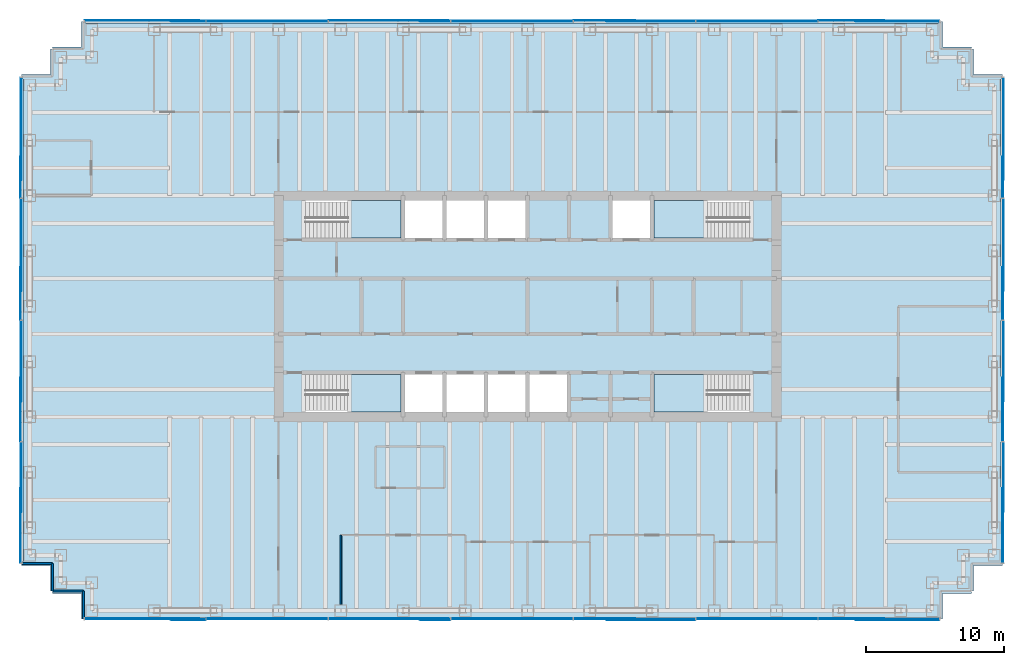
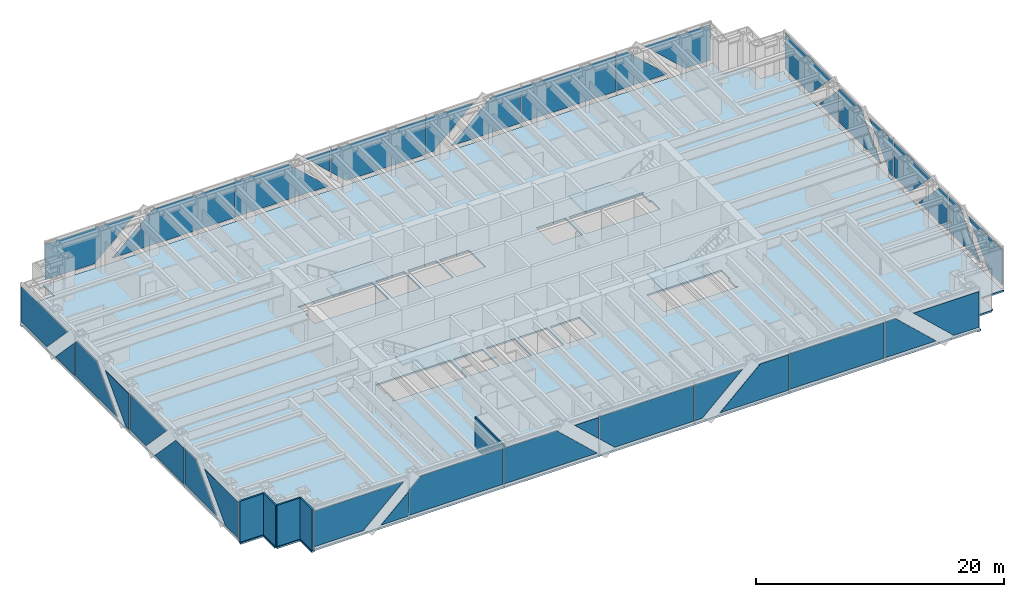
# One storey, part 10 of 15: 38 plates, 5 slabs, 5 walls, 8 elements without a shape of their own.
"""IFC4 building model written with IfcOpenShell, lengths in metres."""

from ifc_helpers import new_model, si_unit, direction, frame, frame_2d, origin, origin_2d, place, context, subcontext, project, spatial, polyline, rectangle, outline, extrude, material, layer, layer_set, type_object, element, aggregate, save


model = new_model("IFC4")

# Units and contexts
model_context = context("Model", 3, precision=1e-05, world=origin(), true_north=direction((0.0, 1.0)))
body_context = subcontext(model_context, "Body", "Model", "MODEL_VIEW")
ifc_project = project(units=[si_unit("LENGTHUNIT", "METRE"), si_unit("AREAUNIT", "SQUARE_METRE"), si_unit("VOLUMEUNIT", "CUBIC_METRE"), si_unit("PLANEANGLEUNIT", "RADIAN"), si_unit("MASSUNIT", "GRAM", prefix="KILO")], contexts=[model_context])

# Site, building, storey
site_placement = place(None, origin())
site = spatial("IfcSite", under=ifc_project, at=site_placement, CompositionType="ELEMENT")
building_placement = place(site_placement, origin())
building = spatial("IfcBuilding", under=site, at=building_placement, Name="Rheinbord Bourse Tower", CompositionType="ELEMENT")
storey_placement = place(building_placement, frame((0.0, 0.0, 279.5)))
storey = spatial("IfcBuildingStorey", under=building, at=storey_placement, Name="L63", CompositionType="ELEMENT", Elevation=279.5)

# Slab
ifc_material_1 = material(Name="Concrete C30/37", Category="concrete")
ifc_layer_1 = layer(ifc_material_1, 0.159912109375)
ifc_layer_set_1 = layer_set([ifc_layer_1], Name="COMPOSITE FLOOR SLAB 160")
slab_type_1 = type_object("IfcSlabType", Name="COMPOSITE FLOOR SLAB 160", PredefinedType="FLOOR", material=ifc_layer_set_1)
slab_1_placement = place(storey_placement, frame((0.0, 0.0, -0.159912109375)))
element("IfcSlab", 1, at=slab_1_placement, inside=storey, type_object=slab_type_1, Name="Floor slab L63", PredefinedType="FLOOR", context=body_context, shape_type="SweptSolid", body=[
    extrude(outline(polyline([(1.64990234375, 3.39990234375), (1.5, 3.39990234375), (1.5, 5.25), (-0.60009765625, 5.25), (-0.60009765625, 5.550048828125), (-0.5, 5.550048828125), (-0.5, 40.449951171875), (-0.60009765625, 40.449951171875), (-0.60009765625, 40.75), (1.5, 40.75), (1.5, 42.60009765625), (1.64990234375, 42.60009765625), (1.64990234375, 42.75), (3.75, 42.75), (3.75, 44.60009765625), (4.050048828125, 44.60009765625), (4.050048828125, 44.5), (65.699951171875, 44.5), (65.699951171875, 44.60009765625), (66.0, 44.60009765625), (66.0, 42.75), (68.10009765625, 42.75), (68.10009765625, 42.60009765625), (68.25, 42.60009765625), (68.25, 40.75), (70.35009765625, 40.75), (70.35009765625, 40.449951171875), (70.25, 40.449951171875), (70.25, 5.550048828125), (70.35009765625, 5.550048828125), (70.35009765625, 5.25), (68.25, 5.25), (68.25, 3.39990234375), (68.10009765625, 3.39990234375), (68.10009765625, 3.25), (66.0, 3.25), (66.0, 1.39990234375), (65.699951171875, 1.39990234375), (65.699951171875, 1.5), (4.050048828125, 1.5), (4.050048828125, 1.39990234375), (3.75, 1.39990234375), (3.75, 3.25), (1.64990234375, 3.25), (1.64990234375, 3.39990234375)]), holes=[polyline([(19.949951171875, 19.050048828125), (26.85009765625, 19.050048828125), (26.85009765625, 16.35009765625), (19.949951171875, 16.35009765625), (19.949951171875, 16.449951171875), (20.10009765625, 16.449951171875), (20.10009765625, 17.64990234375), (19.949951171875, 17.64990234375), (19.949951171875, 19.050048828125)]), polyline([(19.949951171875, 31.64990234375), (26.85009765625, 31.64990234375), (26.85009765625, 28.949951171875), (19.949951171875, 28.949951171875), (19.949951171875, 30.35009765625), (20.10009765625, 30.35009765625), (20.10009765625, 31.550048828125), (19.949951171875, 31.550048828125), (19.949951171875, 31.64990234375)]), polyline([(52.050048828125, 16.35009765625), (45.14990234375, 16.35009765625), (45.14990234375, 19.050048828125), (52.050048828125, 19.050048828125), (52.050048828125, 17.64990234375), (51.89990234375, 17.64990234375), (51.89990234375, 16.449951171875), (52.050048828125, 16.449951171875), (52.050048828125, 16.35009765625)]), polyline([(52.050048828125, 28.949951171875), (45.14990234375, 28.949951171875), (45.14990234375, 31.64990234375), (52.050048828125, 31.64990234375), (52.050048828125, 31.550048828125), (51.89990234375, 31.550048828125), (51.89990234375, 30.35009765625), (52.050048828125, 30.35009765625), (52.050048828125, 28.949951171875)]), polyline([(27.14990234375, 16.35009765625), (27.14990234375, 19.050048828125), (29.85009765625, 19.050048828125), (29.85009765625, 16.35009765625), (27.14990234375, 16.35009765625)]), polyline([(27.14990234375, 28.949951171875), (27.14990234375, 31.64990234375), (29.85009765625, 31.64990234375), (29.85009765625, 28.949951171875), (27.14990234375, 28.949951171875)]), polyline([(30.14990234375, 16.35009765625), (30.14990234375, 19.050048828125), (32.85009765625, 19.050048828125), (32.85009765625, 16.35009765625), (30.14990234375, 16.35009765625)]), polyline([(30.14990234375, 28.949951171875), (30.14990234375, 31.64990234375), (32.85009765625, 31.64990234375), (32.85009765625, 28.949951171875), (30.14990234375, 28.949951171875)]), polyline([(33.14990234375, 16.35009765625), (33.14990234375, 19.050048828125), (35.85009765625, 19.050048828125), (35.85009765625, 16.35009765625), (33.14990234375, 16.35009765625)]), polyline([(33.14990234375, 28.949951171875), (33.14990234375, 31.64990234375), (35.85009765625, 31.64990234375), (35.85009765625, 28.949951171875), (33.14990234375, 28.949951171875)]), polyline([(36.14990234375, 16.35009765625), (36.14990234375, 19.050048828125), (38.85009765625, 19.050048828125), (38.85009765625, 16.35009765625), (36.14990234375, 16.35009765625)]), polyline([(42.14990234375, 28.949951171875), (42.14990234375, 31.64990234375), (44.85009765625, 31.64990234375), (44.85009765625, 28.949951171875), (42.14990234375, 28.949951171875)])]), origin(), (0.0, 0.0, 1.0), 0.159912109375),
])

# Curtain wall, plates
ifc_material_2 = material(Name="Dark glass and black aluminium", Category="aluminium")
curtain_wall_type = type_object("IfcCurtainWallType", Name="CW3 DARK GLASS CURTAIN WALL", PredefinedType="USERDEFINED", material=ifc_material_2)
curtain_wall_1_placement = place(storey_placement, origin())
curtain_wall_1 = element("IfcCurtainWall", 2, at=curtain_wall_1_placement, inside=storey, type_object=curtain_wall_type, Name="Curtain wall CW3 S L63", ObjectType="UNITISED CURTAIN WALL", PredefinedType="USERDEFINED")
ifc_material_3 = material(Name="Dark tinted triple insulating glass", Category="glass")
ifc_layer_2 = layer(ifc_material_3, 0.055908203125)
ifc_layer_set_2 = layer_set([ifc_layer_2], Name="CW3 DARK GLASS PANEL")
plate_type = type_object("IfcPlateType", Name="CW3 DARK GLASS PANEL", PredefinedType="CURTAIN_PANEL", material=ifc_layer_set_2)
plate_1_placement = place(storey_placement, frame((52.574951171875, 1.39990234375, 0.35009765625), z_axis=(0.0, 0.0, 1.0), x_axis=(1.0, 0.0, 0.0)))
plate_1 = element("IfcPlate", 3, at=plate_1_placement, type_object=plate_type, Name="CW3 panel 6.1", PredefinedType="CURTAIN_PANEL", context=body_context, shape_type="SweptSolid", body=[
    extrude(rectangle(XDim=8.784912109375, YDim=0.055908203125, at=origin_2d()), origin(), (0.0, 0.0, 1.0), 3.5),
])
plate_2_placement = place(storey_placement, frame((3.965087890625, 1.3720703125, 0.35009765625), z_axis=(0.0, 1.0, 0.0), x_axis=(0.0, 0.0, 1.0)))
plate_2 = element("IfcPlate", 4, at=plate_2_placement, type_object=plate_type, Name="CW3 glass facet 1", PredefinedType="CURTAIN_PANEL", context=body_context, shape_type="SweptSolid", body=[
    extrude(outline(polyline([(0.0, 0.0), (3.5, 0.0), (3.5, 8.347900390625), (0.0, 4.597900390625), (0.0, 0.0)])), origin(), (0.0, 0.0, 1.0), 0.055908203125),
])
plate_3_placement = place(storey_placement, frame((12.717041015625, 1.31103515625, 0.35009765625), z_axis=(0.0, 1.0, 0.0), x_axis=(-1.0, 0.0, 0.0)))
plate_3 = element("IfcPlate", 5, at=plate_3_placement, type_object=plate_type, Name="CW3 glass facet 2", PredefinedType="CURTAIN_PANEL", context=body_context, shape_type="SweptSolid", body=[
    extrude(outline(polyline([(0.0, 0.0), (2.530029296875, 0.0), (0.0, 2.36181640625), (0.0, 0.0)])), origin(), (0.0, 0.0, 1.0), 0.055908203125),
])
plate_4_placement = place(storey_placement, frame((21.56689453125, 1.3720703125, 3.85009765625), z_axis=(0.0, 1.0, 0.0), x_axis=(0.0, 0.0, -1.0)))
plate_4 = element("IfcPlate", 6, at=plate_4_placement, type_object=plate_type, Name="CW3 glass facet 1", PredefinedType="CURTAIN_PANEL", context=body_context, shape_type="SweptSolid", body=[
    extrude(outline(polyline([(0.0, 0.0), (3.5, 0.0), (3.5, 8.783935546875), (1.0771484375, 8.783935546875), (0.0, 7.6298828125), (0.0, 0.0)])), origin(), (0.0, 0.0, 1.0), 0.055908203125),
])
plate_5_placement = place(storey_placement, frame((21.633056640625, 1.3720703125, 0.35009765625), z_axis=(0.0, 1.0, 0.0), x_axis=(0.0, 0.0, 1.0)))
plate_5 = element("IfcPlate", 7, at=plate_5_placement, type_object=plate_type, Name="CW3 glass facet 1", PredefinedType="CURTAIN_PANEL", context=body_context, shape_type="SweptSolid", body=[
    extrude(outline(polyline([(0.0, 0.0), (3.5, 0.0), (3.5, 4.929931640625), (0.0, 8.679931640625), (0.0, 0.0)])), origin(), (0.0, 0.0, 1.0), 0.055908203125),
])
plate_6_placement = place(storey_placement, frame((30.4169921875, 1.31103515625, 3.85009765625), z_axis=(0.0, 1.0, 0.0), x_axis=(0.0, 0.0, -1.0)))
plate_6 = element("IfcPlate", 8, at=plate_6_placement, type_object=plate_type, Name="CW3 glass facet 2", PredefinedType="CURTAIN_PANEL", context=body_context, shape_type="SweptSolid", body=[
    extrude(outline(polyline([(0.0, 0.0), (2.08203125, 0.0), (0.0, 2.22998046875), (0.0, 0.0)])), origin(), (0.0, 0.0, 1.0), 0.055908203125),
])
plate_7_placement = place(storey_placement, frame((30.48193359375, 1.3720703125, 3.85009765625), z_axis=(0.0, 1.0, 0.0), x_axis=(1.0, 0.0, 0.0)))
plate_7 = element("IfcPlate", 9, at=plate_7_placement, type_object=plate_type, Name="CW3 glass facet 1", PredefinedType="CURTAIN_PANEL", context=body_context, shape_type="SweptSolid", body=[
    extrude(outline(polyline([(0.0, 0.0), (8.7861328125, 0.0), (8.7861328125, 3.5), (1.455078125, 3.5), (0.0, 2.14306640625), (0.0, 0.0)])), origin(), (0.0, 0.0, 1.0), 0.055908203125),
])
plate_8_placement = place(storey_placement, frame((39.3330078125, 1.3720703125, 0.35009765625), z_axis=(0.0, 1.0, 0.0), x_axis=(0.0, 0.0, 1.0)))
plate_8 = element("IfcPlate", 10, at=plate_8_placement, type_object=plate_type, Name="CW3 glass facet 1", PredefinedType="CURTAIN_PANEL", context=body_context, shape_type="SweptSolid", body=[
    extrude(outline(polyline([(0.0, 0.0), (3.5, 0.0), (3.5, 4.47998046875), (0.0, 0.72998046875), (0.0, 0.0)])), origin(), (0.0, 0.0, 1.0), 0.055908203125),
])
plate_9_placement = place(storey_placement, frame((48.116943359375, 1.31103515625, 3.85009765625), z_axis=(0.0, 1.0, 0.0), x_axis=(0.0, 0.0, -1.0)))
plate_9 = element("IfcPlate", 11, at=plate_9_placement, type_object=plate_type, Name="CW3 glass facet 2", PredefinedType="CURTAIN_PANEL", context=body_context, shape_type="SweptSolid", body=[
    extrude(outline(polyline([(0.0, 0.0), (3.5, 0.0), (3.5, 6.429931640625), (0.0, 2.679931640625), (0.0, 0.0)])), origin(), (0.0, 0.0, 1.0), 0.055908203125),
])
plate_10_placement = place(storey_placement, frame((57.031982421875, 1.3720703125, 0.35009765625), z_axis=(0.0, 1.0, 0.0), x_axis=(0.0, 0.0, 1.0)))
plate_10 = element("IfcPlate", 12, at=plate_10_placement, type_object=plate_type, Name="CW3 glass facet 1", PredefinedType="CURTAIN_PANEL", context=body_context, shape_type="SweptSolid", body=[
    extrude(outline(polyline([(0.0, 0.0), (3.5, 0.0), (3.5, 1.031005859375), (0.0, 4.781005859375), (0.0, 0.0)])), origin(), (0.0, 0.0, 1.0), 0.055908203125),
])
plate_11_placement = place(storey_placement, frame((65.784912109375, 1.31103515625, 3.85009765625), z_axis=(0.0, 1.0, 0.0), x_axis=(0.0, 0.0, -1.0)))
plate_11 = element("IfcPlate", 13, at=plate_11_placement, type_object=plate_type, Name="CW3 glass facet 2", PredefinedType="CURTAIN_PANEL", context=body_context, shape_type="SweptSolid", body=[
    extrude(outline(polyline([(0.0, 0.0), (3.5, 0.0), (3.5, 2.347900390625), (0.0, 6.097900390625), (0.0, 0.0)])), origin(), (0.0, 0.0, 1.0), 0.055908203125),
])
aggregate(curtain_wall_1, [plate_1, plate_2, plate_3, plate_4, plate_5, plate_6, plate_7, plate_8, plate_9, plate_10, plate_11])

curtain_wall_2_placement = place(storey_placement, origin())
curtain_wall_2 = element("IfcCurtainWall", 14, at=curtain_wall_2_placement, inside=storey, type_object=curtain_wall_type, Name="Curtain wall CW3 E L63", ObjectType="UNITISED CURTAIN WALL", PredefinedType="USERDEFINED")
plate_12_placement = place(storey_placement, frame((70.3779296875, 5.465087890625, 0.35009765625), z_axis=(-1.0, 0.0, 0.0), x_axis=(0.0, 0.0, 1.0)))
plate_12 = element("IfcPlate", 15, at=plate_12_placement, type_object=plate_type, Name="CW3 glass facet 1", PredefinedType="CURTAIN_PANEL", context=body_context, shape_type="SweptSolid", body=[
    extrude(outline(polyline([(0.0, 0.0), (3.5, 0.0), (3.5, 5.43701171875), (0.0, 2.10302734375), (0.0, 0.0)])), origin(), (0.0, 0.0, 1.0), 0.055908203125),
])
plate_13_placement = place(storey_placement, frame((70.43896484375, 14.16796875, 3.85009765625), z_axis=(-1.0, 0.0, 0.0), x_axis=(0.0, 0.0, -1.0)))
plate_13 = element("IfcPlate", 16, at=plate_13_placement, type_object=plate_type, Name="CW3 glass facet 2", PredefinedType="CURTAIN_PANEL", context=body_context, shape_type="SweptSolid", body=[
    extrude(outline(polyline([(0.0, 0.0), (3.5, 0.0), (3.5, 5.070068359375), (0.0, 1.736083984375), (0.0, 0.0)])), origin(), (0.0, 0.0, 1.0), 0.055908203125),
])
plate_14_placement = place(storey_placement, frame((70.3779296875, 14.23193359375, 0.35009765625), z_axis=(-1.0, 0.0, 0.0), x_axis=(0.0, 0.0, 1.0)))
plate_14 = element("IfcPlate", 17, at=plate_14_placement, type_object=plate_type, Name="CW3 glass facet 1", PredefinedType="CURTAIN_PANEL", context=body_context, shape_type="SweptSolid", body=[
    extrude(outline(polyline([(0.0, 0.0), (3.5, 0.0), (3.5, 1.336181640625), (0.0, 4.670166015625), (0.0, 0.0)])), origin(), (0.0, 0.0, 1.0), 0.055908203125),
])
plate_15_placement = place(storey_placement, frame((70.43896484375, 22.968017578125, 3.85009765625), z_axis=(-1.0, 0.0, 0.0), x_axis=(0.0, 0.0, -1.0)))
plate_15 = element("IfcPlate", 18, at=plate_15_placement, type_object=plate_type, Name="CW3 glass facet 2", PredefinedType="CURTAIN_PANEL", context=body_context, shape_type="SweptSolid", body=[
    extrude(outline(polyline([(0.0, 0.0), (3.5, 0.0), (3.5, 2.5361328125), (0.0, 5.8701171875), (0.0, 0.0)])), origin(), (0.0, 0.0, 1.0), 0.055908203125),
])
plate_16_placement = place(storey_placement, frame((70.3779296875, 23.031982421875, 0.35009765625), z_axis=(-1.0, 0.0, 0.0), x_axis=(0.0, 0.0, 1.0)))
plate_16 = element("IfcPlate", 19, at=plate_16_placement, type_object=plate_type, Name="CW3 glass facet 1", PredefinedType="CURTAIN_PANEL", context=body_context, shape_type="SweptSolid", body=[
    extrude(outline(polyline([(0.0, 0.0), (3.5, 0.0), (3.5, 3.8701171875), (0.0, 0.5361328125), (0.0, 0.0)])), origin(), (0.0, 0.0, 1.0), 0.055908203125),
])
plate_17_placement = place(storey_placement, frame((70.43896484375, 31.76708984375, 0.35009765625), z_axis=(-1.0, 0.0, 0.0), x_axis=(0.0, -1.0, 0.0)))
plate_17 = element("IfcPlate", 20, at=plate_17_placement, type_object=plate_type, Name="CW3 glass facet 2", PredefinedType="CURTAIN_PANEL", context=body_context, shape_type="SweptSolid", body=[
    extrude(outline(polyline([(0.0, 0.0), (6.669189453125, 0.0), (3.335205078125, 3.5), (0.198974609375, 3.5), (0.0, 3.291015625), (0.0, 0.0)])), origin(), (0.0, 0.0, 1.0), 0.055908203125),
])
plate_18_placement = place(storey_placement, frame((70.3779296875, 31.8330078125, 0.35009765625), z_axis=(-1.0, 0.0, 0.0), x_axis=(0.0, 0.0, 1.0)))
plate_18 = element("IfcPlate", 21, at=plate_18_placement, type_object=plate_type, Name="CW3 glass facet 1", PredefinedType="CURTAIN_PANEL", context=body_context, shape_type="SweptSolid", body=[
    extrude(outline(polyline([(0.0, 0.0), (3.222900390625, 0.0), (0.0, 3.069091796875), (0.0, 0.0)])), origin(), (0.0, 0.0, 1.0), 0.055908203125),
])
plate_19_placement = place(storey_placement, frame((70.43896484375, 40.534912109375, 3.85009765625), z_axis=(-1.0, 0.0, 0.0), x_axis=(0.0, 0.0, -1.0)))
plate_19 = element("IfcPlate", 22, at=plate_19_placement, type_object=plate_type, Name="CW3 glass facet 2", PredefinedType="CURTAIN_PANEL", context=body_context, shape_type="SweptSolid", body=[
    extrude(outline(polyline([(0.0, 0.0), (3.5, 0.0), (3.5, 4.10302734375), (0.0, 7.43701171875), (0.0, 0.0)])), origin(), (0.0, 0.0, 1.0), 0.055908203125),
])
aggregate(curtain_wall_2, [plate_12, plate_13, plate_14, plate_15, plate_16, plate_17, plate_18, plate_19])

curtain_wall_3_placement = place(storey_placement, origin())
curtain_wall_3 = element("IfcCurtainWall", 23, at=curtain_wall_3_placement, inside=storey, type_object=curtain_wall_type, Name="Curtain wall CW3 N L63", ObjectType="UNITISED CURTAIN WALL", PredefinedType="USERDEFINED")
plate_20_placement = place(storey_placement, frame((52.574951171875, 44.60009765625, 0.35009765625), z_axis=(0.0, 0.0, 1.0), x_axis=(-1.0, 0.0, 0.0)))
plate_20 = element("IfcPlate", 24, at=plate_20_placement, type_object=plate_type, Name="CW3 panel 2.1", PredefinedType="CURTAIN_PANEL", context=body_context, shape_type="SweptSolid", body=[
    extrude(rectangle(XDim=8.784912109375, YDim=0.055908203125, at=origin_2d()), origin(), (0.0, 0.0, 1.0), 3.5),
])
plate_21_placement = place(storey_placement, frame((65.784912109375, 44.6279296875, 0.35009765625), z_axis=(0.0, -1.0, 0.0), x_axis=(0.0, 0.0, 1.0)))
plate_21 = element("IfcPlate", 25, at=plate_21_placement, type_object=plate_type, Name="CW3 glass facet 1", PredefinedType="CURTAIN_PANEL", context=body_context, shape_type="SweptSolid", body=[
    extrude(outline(polyline([(0.0, 0.0), (3.5, 0.0), (3.5, 6.097900390625), (0.0, 2.347900390625), (0.0, 0.0)])), origin(), (0.0, 0.0, 1.0), 0.055908203125),
])
plate_22_placement = place(storey_placement, frame((57.031982421875, 44.68896484375, 3.85009765625), z_axis=(0.0, -1.0, 0.0), x_axis=(0.0, 0.0, -1.0)))
plate_22 = element("IfcPlate", 26, at=plate_22_placement, type_object=plate_type, Name="CW3 glass facet 2", PredefinedType="CURTAIN_PANEL", context=body_context, shape_type="SweptSolid", body=[
    extrude(outline(polyline([(0.0, 0.0), (3.5, 0.0), (3.5, 4.781005859375), (0.0, 1.031005859375), (0.0, 0.0)])), origin(), (0.0, 0.0, 1.0), 0.055908203125),
])
plate_23_placement = place(storey_placement, frame((48.116943359375, 44.6279296875, 0.35009765625), z_axis=(0.0, -1.0, 0.0), x_axis=(0.0, 0.0, 1.0)))
plate_23 = element("IfcPlate", 27, at=plate_23_placement, type_object=plate_type, Name="CW3 glass facet 1", PredefinedType="CURTAIN_PANEL", context=body_context, shape_type="SweptSolid", body=[
    extrude(outline(polyline([(0.0, 0.0), (3.5, 0.0), (3.5, 2.679931640625), (0.0, 6.429931640625), (0.0, 0.0)])), origin(), (0.0, 0.0, 1.0), 0.055908203125),
])
plate_24_placement = place(storey_placement, frame((39.33203125, 44.68896484375, 3.85009765625), z_axis=(0.0, -1.0, 0.0), x_axis=(0.0, 0.0, -1.0)))
plate_24 = element("IfcPlate", 28, at=plate_24_placement, type_object=plate_type, Name="CW3 glass facet 2", PredefinedType="CURTAIN_PANEL", context=body_context, shape_type="SweptSolid", body=[
    extrude(outline(polyline([(0.0, 0.0), (3.5, 0.0), (3.5, 0.73095703125), (0.0, 4.48095703125), (0.0, 0.0)])), origin(), (0.0, 0.0, 1.0), 0.055908203125),
])
plate_25_placement = place(storey_placement, frame((39.26708984375, 44.6279296875, 0.35009765625), z_axis=(0.0, -1.0, 0.0), x_axis=(0.0, 0.0, 1.0)))
plate_25 = element("IfcPlate", 29, at=plate_25_placement, type_object=plate_type, Name="CW3 glass facet 1", PredefinedType="CURTAIN_PANEL", context=body_context, shape_type="SweptSolid", body=[
    extrude(outline(polyline([(0.0, 0.0), (3.5, 0.0), (3.5, 8.7841796875), (1.35693359375, 8.7841796875), (0.0, 7.330078125), (0.0, 0.0)])), origin(), (0.0, 0.0, 1.0), 0.055908203125),
])
plate_26_placement = place(storey_placement, frame((30.4169921875, 44.6279296875, 3.85009765625), z_axis=(0.0, -1.0, 0.0), x_axis=(-1.0, 0.0, 0.0)))
plate_26 = element("IfcPlate", 30, at=plate_26_placement, type_object=plate_type, Name="CW3 glass facet 1", PredefinedType="CURTAIN_PANEL", context=body_context, shape_type="SweptSolid", body=[
    extrude(outline(polyline([(0.0, 0.0), (2.22998046875, 0.0), (0.0, 2.08203125), (0.0, 0.0)])), origin(), (0.0, 0.0, 1.0), 0.055908203125),
])
plate_27_placement = place(storey_placement, frame((21.632080078125, 44.68896484375, 3.85009765625), z_axis=(0.0, -1.0, 0.0), x_axis=(0.0, 0.0, -1.0)))
plate_27 = element("IfcPlate", 31, at=plate_27_placement, type_object=plate_type, Name="CW3 glass facet 2", PredefinedType="CURTAIN_PANEL", context=body_context, shape_type="SweptSolid", body=[
    extrude(outline(polyline([(0.0, 0.0), (3.5, 0.0), (3.5, 8.680908203125), (0.0, 4.930908203125), (0.0, 0.0)])), origin(), (0.0, 0.0, 1.0), 0.055908203125),
])
plate_28_placement = place(storey_placement, frame((12.781982421875, 44.6279296875, 0.35009765625), z_axis=(0.0, -1.0, 0.0), x_axis=(1.0, 0.0, 0.0)))
plate_28 = element("IfcPlate", 32, at=plate_28_placement, type_object=plate_type, Name="CW3 glass facet 1", PredefinedType="CURTAIN_PANEL", context=body_context, shape_type="SweptSolid", body=[
    extrude(outline(polyline([(0.0, 0.0), (8.784912109375, 0.0), (8.784912109375, 3.5), (1.155029296875, 3.5), (0.0, 2.4228515625), (0.0, 0.0)])), origin(), (0.0, 0.0, 1.0), 0.055908203125),
])
plate_29_placement = place(storey_placement, frame((12.718017578125, 44.6279296875, 0.35009765625), z_axis=(0.0, -1.0, 0.0), x_axis=(0.0, 0.0, 1.0)))
plate_29 = element("IfcPlate", 33, at=plate_29_placement, type_object=plate_type, Name="CW3 glass facet 1", PredefinedType="CURTAIN_PANEL", context=body_context, shape_type="SweptSolid", body=[
    extrude(outline(polyline([(0.0, 0.0), (2.36181640625, 0.0), (0.0, 2.531005859375), (0.0, 0.0)])), origin(), (0.0, 0.0, 1.0), 0.055908203125),
])
plate_30_placement = place(storey_placement, frame((3.965087890625, 44.68896484375, 3.85009765625), z_axis=(0.0, -1.0, 0.0), x_axis=(0.0, 0.0, -1.0)))
plate_30 = element("IfcPlate", 34, at=plate_30_placement, type_object=plate_type, Name="CW3 glass facet 2", PredefinedType="CURTAIN_PANEL", context=body_context, shape_type="SweptSolid", body=[
    extrude(outline(polyline([(0.0, 0.0), (3.5, 0.0), (3.5, 4.597900390625), (0.0, 8.347900390625), (0.0, 0.0)])), origin(), (0.0, 0.0, 1.0), 0.055908203125),
])
aggregate(curtain_wall_3, [plate_20, plate_21, plate_22, plate_23, plate_24, plate_25, plate_26, plate_27, plate_28, plate_29, plate_30])

curtain_wall_4_placement = place(storey_placement, origin())
curtain_wall_4 = element("IfcCurtainWall", 35, at=curtain_wall_4_placement, inside=storey, type_object=curtain_wall_type, Name="Curtain wall CW3 W L63", ObjectType="UNITISED CURTAIN WALL", PredefinedType="USERDEFINED")
plate_31_placement = place(storey_placement, frame((-0.6279296875, 40.534912109375, 0.35009765625), z_axis=(1.0, 0.0, 0.0), x_axis=(0.0, 0.0, 1.0)))
plate_31 = element("IfcPlate", 36, at=plate_31_placement, type_object=plate_type, Name="CW3 glass facet 1", PredefinedType="CURTAIN_PANEL", context=body_context, shape_type="SweptSolid", body=[
    extrude(outline(polyline([(0.0, 0.0), (3.5, 0.0), (3.5, 7.43701171875), (0.0, 4.10302734375), (0.0, 0.0)])), origin(), (0.0, 0.0, 1.0), 0.055908203125),
])
plate_32_placement = place(storey_placement, frame((-0.68896484375, 31.8330078125, 0.35009765625), z_axis=(1.0, 0.0, 0.0), x_axis=(0.0, 1.0, 0.0)))
plate_32 = element("IfcPlate", 37, at=plate_32_placement, type_object=plate_type, Name="CW3 glass facet 2", PredefinedType="CURTAIN_PANEL", context=body_context, shape_type="SweptSolid", body=[
    extrude(outline(polyline([(0.0, 0.0), (3.069091796875, 0.0), (0.0, 3.222900390625), (0.0, 0.0)])), origin(), (0.0, 0.0, 1.0), 0.055908203125),
])
plate_33_placement = place(storey_placement, frame((-0.6279296875, 31.76708984375, 0.35009765625), z_axis=(1.0, 0.0, 0.0), x_axis=(0.0, 0.0, 1.0)))
plate_33 = element("IfcPlate", 38, at=plate_33_placement, type_object=plate_type, Name="CW3 glass facet 1", PredefinedType="CURTAIN_PANEL", context=body_context, shape_type="SweptSolid", body=[
    extrude(outline(polyline([(0.0, 0.0), (3.291015625, 0.0), (3.5, 0.198974609375), (3.5, 3.335205078125), (0.0, 6.669189453125), (0.0, 0.0)])), origin(), (0.0, 0.0, 1.0), 0.055908203125),
])
plate_34_placement = place(storey_placement, frame((-0.68896484375, 23.031982421875, 3.85009765625), z_axis=(1.0, 0.0, 0.0), x_axis=(0.0, 0.0, -1.0)))
plate_34 = element("IfcPlate", 39, at=plate_34_placement, type_object=plate_type, Name="CW3 glass facet 2", PredefinedType="CURTAIN_PANEL", context=body_context, shape_type="SweptSolid", body=[
    extrude(outline(polyline([(0.0, 0.0), (3.5, 0.0), (3.5, 0.5361328125), (0.0, 3.8701171875), (0.0, 0.0)])), origin(), (0.0, 0.0, 1.0), 0.055908203125),
])
plate_35_placement = place(storey_placement, frame((-0.6279296875, 22.968017578125, 0.35009765625), z_axis=(1.0, 0.0, 0.0), x_axis=(0.0, 0.0, 1.0)))
plate_35 = element("IfcPlate", 40, at=plate_35_placement, type_object=plate_type, Name="CW3 glass facet 1", PredefinedType="CURTAIN_PANEL", context=body_context, shape_type="SweptSolid", body=[
    extrude(outline(polyline([(0.0, 0.0), (3.5, 0.0), (3.5, 5.8701171875), (0.0, 2.5361328125), (0.0, 0.0)])), origin(), (0.0, 0.0, 1.0), 0.055908203125),
])
plate_36_placement = place(storey_placement, frame((-0.68896484375, 14.23291015625, 3.85009765625), z_axis=(1.0, 0.0, 0.0), x_axis=(0.0, 0.0, -1.0)))
plate_36 = element("IfcPlate", 41, at=plate_36_placement, type_object=plate_type, Name="CW3 glass facet 2", PredefinedType="CURTAIN_PANEL", context=body_context, shape_type="SweptSolid", body=[
    extrude(outline(polyline([(0.0, 0.0), (3.5, 0.0), (3.5, 4.669189453125), (0.0, 1.335205078125), (0.0, 0.0)])), origin(), (0.0, 0.0, 1.0), 0.055908203125),
])
plate_37_placement = place(storey_placement, frame((-0.6279296875, 14.1669921875, 0.35009765625), z_axis=(1.0, 0.0, 0.0), x_axis=(0.0, 0.0, 1.0)))
plate_37 = element("IfcPlate", 42, at=plate_37_placement, type_object=plate_type, Name="CW3 glass facet 1", PredefinedType="CURTAIN_PANEL", context=body_context, shape_type="SweptSolid", body=[
    extrude(outline(polyline([(0.0, 0.0), (3.5, 0.0), (3.5, 1.735107421875), (0.0, 5.069091796875), (0.0, 0.0)])), origin(), (0.0, 0.0, 1.0), 0.055908203125),
])
plate_38_placement = place(storey_placement, frame((-0.68896484375, 5.465087890625, 3.85009765625), z_axis=(1.0, 0.0, 0.0), x_axis=(0.0, 0.0, -1.0)))
plate_38 = element("IfcPlate", 43, at=plate_38_placement, type_object=plate_type, Name="CW3 glass facet 2", PredefinedType="CURTAIN_PANEL", context=body_context, shape_type="SweptSolid", body=[
    extrude(outline(polyline([(0.0, 0.0), (3.5, 0.0), (3.5, 2.10302734375), (0.0, 5.43701171875), (0.0, 0.0)])), origin(), (0.0, 0.0, 1.0), 0.055908203125),
])
aggregate(curtain_wall_4, [plate_31, plate_32, plate_33, plate_34, plate_35, plate_36, plate_37, plate_38])

# Stair, slab
ifc_material_4 = material(Name="Concrete C30/37", Category="concrete")
stair_type = type_object("IfcStairType", Name="CORE STAIR HALF TURN 4200", PredefinedType="HALF_TURN_STAIR", material=ifc_material_4)
stair_1_placement = place(storey_placement, origin())
stair_1 = element("IfcStair", 44, at=stair_1_placement, inside=storey, type_object=stair_type, Name="Stair ST1 L63, type CS6", PredefinedType="HALF_TURN_STAIR")
ifc_material_5 = material(Name="Concrete C30/37", Category="concrete")
ifc_layer_3 = layer(ifc_material_5, 0.199951171875)
ifc_layer_set_3 = layer_set([ifc_layer_3], Name="STAIR LANDING 200")
slab_type_2 = type_object("IfcSlabType", Name="STAIR LANDING 200", PredefinedType="LANDING", material=ifc_layer_set_3)
slab_2_placement = place(storey_placement, frame((0.0, 0.0, 1.89990234375)))
slab_2 = element("IfcSlab", 45, at=slab_2_placement, type_object=slab_type_2, Name="Half landing ST1 L63", PredefinedType="LANDING", context=body_context, shape_type="SweptSolid", body=[
    extrude(outline(polyline([(23.030029296875, 16.35009765625), (26.85009765625, 16.35009765625), (26.85009765625, 19.050048828125), (21.748046875, 19.050048828125), (21.748046875, 17.85009765625), (23.030029296875, 17.85009765625), (23.030029296875, 16.35009765625)])), origin(), (0.0, 0.0, 1.0), 0.2001953125),
])
aggregate(stair_1, [slab_2])

stair_2_placement = place(storey_placement, origin())
stair_2 = element("IfcStair", 46, at=stair_2_placement, inside=storey, type_object=stair_type, Name="Stair ST2 L63, type CS6", PredefinedType="HALF_TURN_STAIR")
slab_3_placement = place(storey_placement, frame((0.0, 0.0, 1.89990234375)))
slab_3 = element("IfcSlab", 47, at=slab_3_placement, type_object=slab_type_2, Name="Half landing ST2 L63", PredefinedType="LANDING", context=body_context, shape_type="SweptSolid", body=[
    extrude(outline(polyline([(21.748046875, 28.949951171875), (26.85009765625, 28.949951171875), (26.85009765625, 31.64990234375), (23.030029296875, 31.64990234375), (23.030029296875, 30.14990234375), (21.748046875, 30.14990234375), (21.748046875, 28.949951171875)])), origin(), (0.0, 0.0, 1.0), 0.2001953125),
])
aggregate(stair_2, [slab_3])

stair_3_placement = place(storey_placement, origin())
stair_3 = element("IfcStair", 48, at=stair_3_placement, inside=storey, type_object=stair_type, Name="Stair ST3 L63, type CS6", PredefinedType="HALF_TURN_STAIR")
slab_4_placement = place(storey_placement, frame((0.0, 0.0, 1.89990234375)))
slab_4 = element("IfcSlab", 49, at=slab_4_placement, type_object=slab_type_2, Name="Half landing ST3 L63", PredefinedType="LANDING", context=body_context, shape_type="SweptSolid", body=[
    extrude(outline(polyline([(45.14990234375, 16.35009765625), (48.969970703125, 16.35009765625), (48.969970703125, 17.85009765625), (50.251953125, 17.85009765625), (50.251953125, 19.050048828125), (45.14990234375, 19.050048828125), (45.14990234375, 16.35009765625)])), origin(), (0.0, 0.0, 1.0), 0.2001953125),
])
aggregate(stair_3, [slab_4])

stair_4_placement = place(storey_placement, origin())
stair_4 = element("IfcStair", 50, at=stair_4_placement, inside=storey, type_object=stair_type, Name="Stair ST4 L63, type CS6", PredefinedType="HALF_TURN_STAIR")
slab_5_placement = place(storey_placement, frame((0.0, 0.0, 1.89990234375)))
slab_5 = element("IfcSlab", 51, at=slab_5_placement, type_object=slab_type_2, Name="Half landing ST4 L63", PredefinedType="LANDING", context=body_context, shape_type="SweptSolid", body=[
    extrude(outline(polyline([(45.14990234375, 28.949951171875), (50.251953125, 28.949951171875), (50.251953125, 30.14990234375), (48.969970703125, 30.14990234375), (48.969970703125, 31.64990234375), (45.14990234375, 31.64990234375), (45.14990234375, 28.949951171875)])), origin(), (0.0, 0.0, 1.0), 0.2001953125),
])
aggregate(stair_4, [slab_5])

# Walls
ifc_material_6 = material(Name="Black metal rainscreen panel", Category="aluminium")
ifc_layer_4 = layer(ifc_material_6, 0.14990234375)
ifc_layer_set_4 = layer_set([ifc_layer_4], Name="CORNER PIER CLADDING 150")
wall_type_1 = type_object("IfcWallType", Name="CORNER PIER CLADDING 150", PredefinedType="ELEMENTEDWALL", material=ifc_layer_set_4)
wall_1_placement = place(storey_placement, frame((-0.60009765625, 5.39990234375, 0.0), z_axis=(0.0, 0.0, 1.0), x_axis=(1.0, 0.0, 0.0)))
element("IfcWall", 52, at=wall_1_placement, inside=storey, type_object=wall_type_1, Name="Corner pier cladding L63 17", PredefinedType="ELEMENTEDWALL", context=body_context, shape_type="SweptSolid", body=[
    extrude(rectangle(XDim=2.25, YDim=0.14990234375, at=frame_2d((1.125, 0.0))), origin(), (0.0, 0.0, 1.0), 4.0400390625),
])
wall_2_placement = place(storey_placement, frame((1.64990234375, 5.39990234375, 0.0), z_axis=(0.0, 0.0, 1.0), x_axis=(0.0, -1.0, 0.0)))
element("IfcWall", 53, at=wall_2_placement, inside=storey, type_object=wall_type_1, Name="Corner pier cladding L63 18", PredefinedType="ELEMENTEDWALL", context=body_context, shape_type="SweptSolid", body=[
    extrude(rectangle(XDim=2.0, YDim=0.14990234375, at=frame_2d((1.0, 0.0))), origin(), (0.0, 0.0, 1.0), 4.0400390625),
])
wall_3_placement = place(storey_placement, frame((1.64990234375, 3.39990234375, 0.0), z_axis=(0.0, 0.0, 1.0), x_axis=(1.0, 0.0, 0.0)))
element("IfcWall", 54, at=wall_3_placement, inside=storey, type_object=wall_type_1, Name="Corner pier cladding L63 19", PredefinedType="ELEMENTEDWALL", context=body_context, shape_type="SweptSolid", body=[
    extrude(rectangle(XDim=2.25, YDim=0.14990234375, at=frame_2d((1.125, 0.0))), origin(), (0.0, 0.0, 1.0), 4.0400390625),
])
wall_4_placement = place(storey_placement, frame((3.89990234375, 3.39990234375, 0.0), z_axis=(0.0, 0.0, 1.0), x_axis=(0.0, -1.0, 0.0)))
element("IfcWall", 55, at=wall_4_placement, inside=storey, type_object=wall_type_1, Name="Corner pier cladding L63 20", PredefinedType="ELEMENTEDWALL", context=body_context, shape_type="SweptSolid", body=[
    extrude(rectangle(XDim=2.0, YDim=0.14990234375, at=frame_2d((1.0, 0.0))), origin(), (0.0, 0.0, 1.0), 4.0400390625),
])
ifc_material_7 = material(Name="Toughened laminated glass partition", Category="glass")
ifc_layer_5 = layer(ifc_material_7, 0.10009765625)
ifc_layer_set_5 = layer_set([ifc_layer_5], Name="GLAZED PARTITION 100")
wall_type_2 = type_object("IfcWallType", Name="GLAZED PARTITION 100", PredefinedType="PARTITIONING", material=ifc_layer_set_5)
wall_5_placement = place(storey_placement, frame((22.5, 2.449951171875, 0.0), z_axis=(0.0, 0.0, 1.0), x_axis=(0.0, 1.0, 0.0)))
element("IfcWall", 56, at=wall_5_placement, inside=storey, type_object=wall_type_2, Name="Partition L63-17", PredefinedType="PARTITIONING", context=body_context, shape_type="SweptSolid", body=[
    extrude(rectangle(XDim=5.0, YDim=0.10009765625, at=frame_2d((2.5, 0.0))), origin(), (0.0, 0.0, 1.0), 3.0),
])

save(model, "model.ifc")
